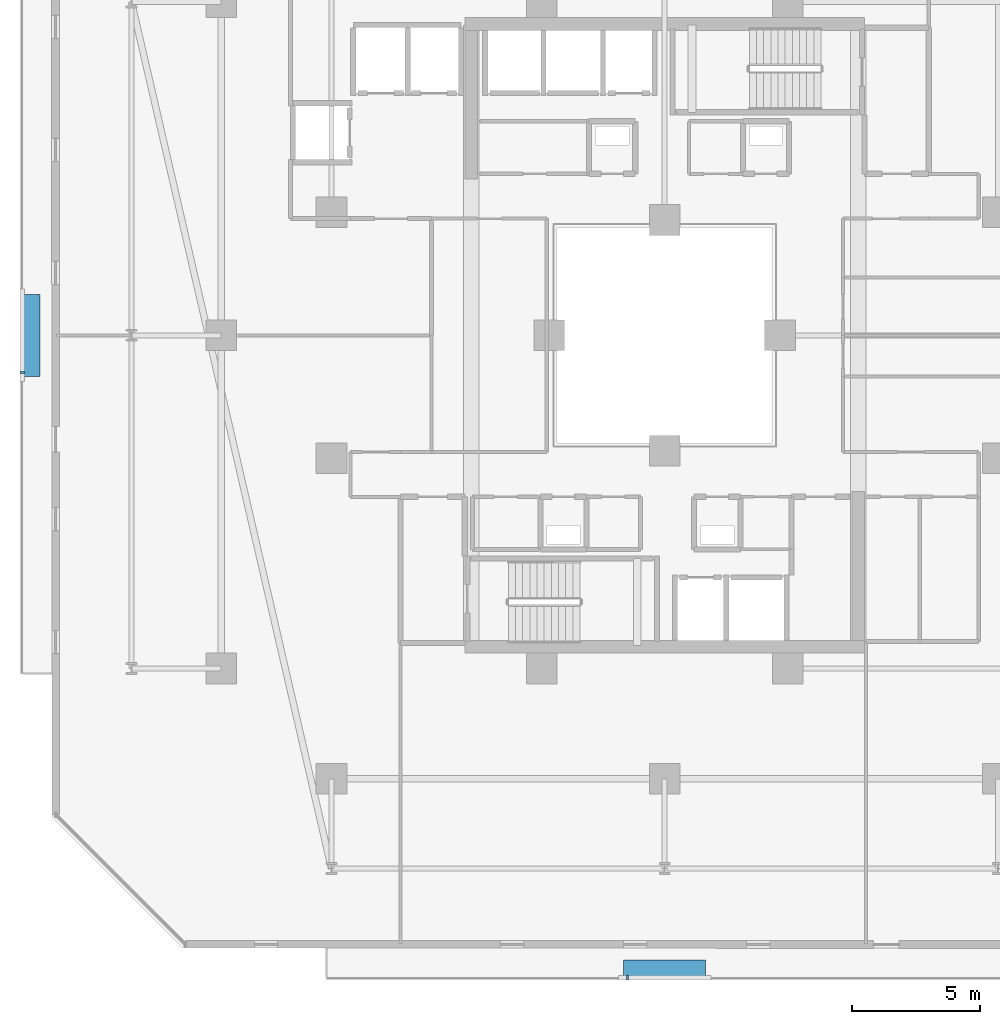
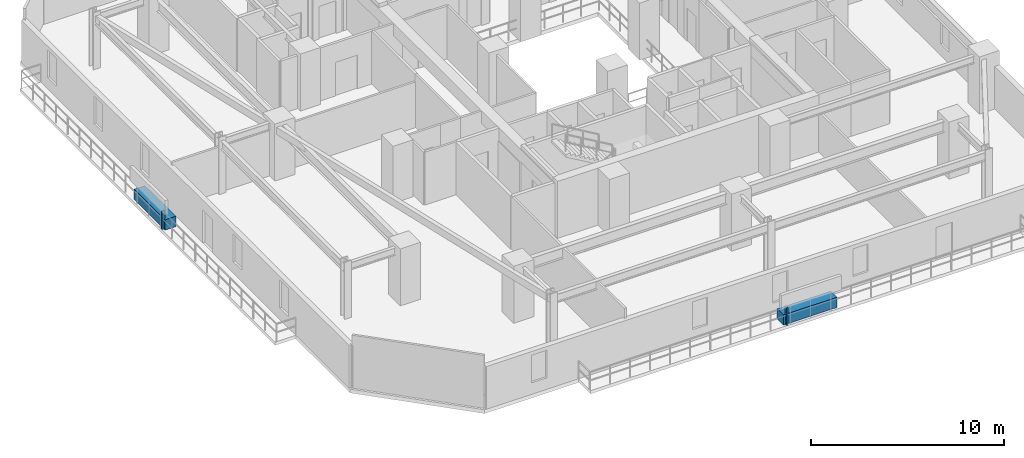
# One storey, part 27 of 33: 4 discrete accessories.
"""IFC4 building model written with IfcOpenShell, lengths in metres."""

from ifc_helpers import new_model, si_unit, direction, frame, origin, origin_2d, place, context, subcontext, project, spatial, rectangle, extrude, material, type_object, element, save


model = new_model("IFC4")

# Units and contexts
model_context = context("Model", 3, precision=1e-05, world=origin(), true_north=direction((0.0, 1.0)))
body_context = subcontext(model_context, "Body", "Model", "MODEL_VIEW")
ifc_project = project(units=[si_unit("LENGTHUNIT", "METRE"), si_unit("AREAUNIT", "SQUARE_METRE"), si_unit("VOLUMEUNIT", "CUBIC_METRE"), si_unit("PLANEANGLEUNIT", "RADIAN"), si_unit("MASSUNIT", "GRAM", prefix="KILO")], contexts=[model_context])

# Site, building, storey
site_placement = place(None, origin())
site = spatial("IfcSite", under=ifc_project, at=site_placement, CompositionType="ELEMENT")
building_placement = place(site_placement, origin())
building = spatial("IfcBuilding", under=site, at=building_placement, Name="Thornwick Lancets Civic Towers", CompositionType="ELEMENT")
storey_placement = place(building_placement, frame((0.0, 0.0, 134.10009765625)))
storey = spatial("IfcBuildingStorey", under=building, at=storey_placement, Name="L35", CompositionType="ELEMENT", Elevation=134.10009765625)

# Discrete accessories
ifc_material_1 = material(Name="Planted terracotta greenery planter", Category="masonry")
discrete_accessory_type_1 = type_object("IfcDiscreteAccessoryType", Name="ACC_PLANTER_BOX", PredefinedType="USERDEFINED", material=ifc_material_1)
discrete_accessory_1_placement = place(storey_placement, frame((25.5, 2.300048828125, 0.0), z_axis=(0.0, 0.0, 1.0), x_axis=(1.0, 0.0, 0.0)))
element("IfcDiscreteAccessory", 1, at=discrete_accessory_1_placement, inside=storey, type_object=discrete_accessory_type_1, Name="L35 Tower A Balcony Greenery Planter S", ObjectType="PLANTER", PredefinedType="USERDEFINED", context=body_context, shape_type="SweptSolid", body=[
    extrude(rectangle(XDim=3.199951171875, YDim=0.64990234375, at=origin_2d()), origin(), (0.0, 0.0, 1.0), 0.64990234375),
])
discrete_accessory_2_placement = place(storey_placement, frame((0.800048828125, 27.0, 0.0), z_axis=(0.0, 0.0, 1.0), x_axis=(1.0, 0.0, 0.0)))
element("IfcDiscreteAccessory", 2, at=discrete_accessory_2_placement, inside=storey, type_object=discrete_accessory_type_1, Name="L35 Tower A Balcony Greenery Planter W", ObjectType="PLANTER", PredefinedType="USERDEFINED", context=body_context, shape_type="SweptSolid", body=[
    extrude(rectangle(XDim=0.64990234375, YDim=3.199951171875, at=origin_2d()), origin(), (0.0, 0.0, 1.0), 0.64990234375),
])
ifc_material_2 = material(Name="Stainless steel S355", Category="steel")
discrete_accessory_type_2 = type_object("IfcDiscreteAccessoryType", Name="ACC_SCREEN_BRACKET", PredefinedType="BRACKET", material=ifc_material_2)
for number, where, z_axis, x_axis, name in (
    (3, (24.050048828125, 1.93994140625, 0.0), (0.0, 0.0, 1.0), (1.0, 0.0, 0.0), "L35 Tower A Balcony Screen Stanchion Bracket S-1"),
    (4, (0.43994140625, 25.550048828125, 0.0), (0.0, 0.0, 1.0), (0.0, 1.0, 0.0), "L35 Tower A Balcony Screen Stanchion Bracket W-1"),
):
    element("IfcDiscreteAccessory", number, at=place(storey_placement, frame(where, z_axis=z_axis, x_axis=x_axis)), inside=storey, type_object=discrete_accessory_type_2, Name=name, PredefinedType="BRACKET", context=body_context, shape_type="SweptSolid", body=[
        extrude(rectangle(XDim=0.080078125, YDim=0.179931640625, at=origin_2d()), origin(), (0.0, 0.0, 1.0), 1.14990234375),
    ])

save(model, "model.ifc")
